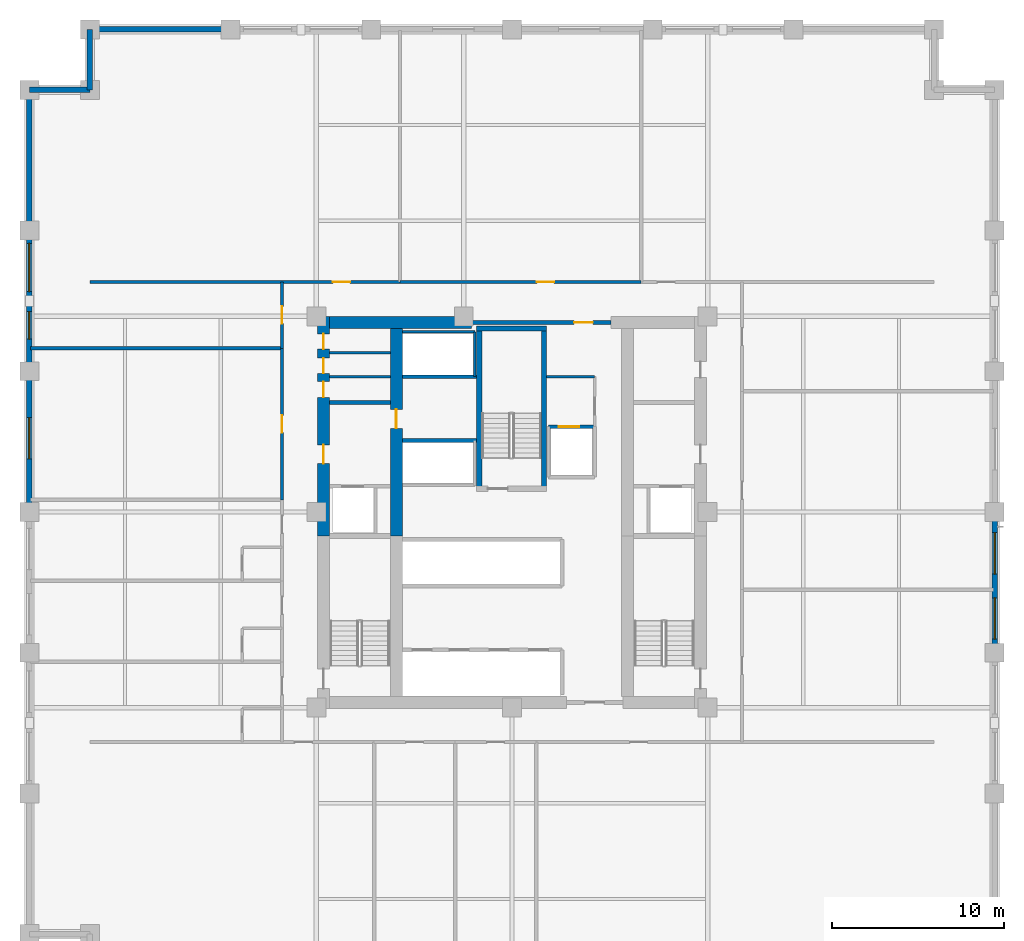
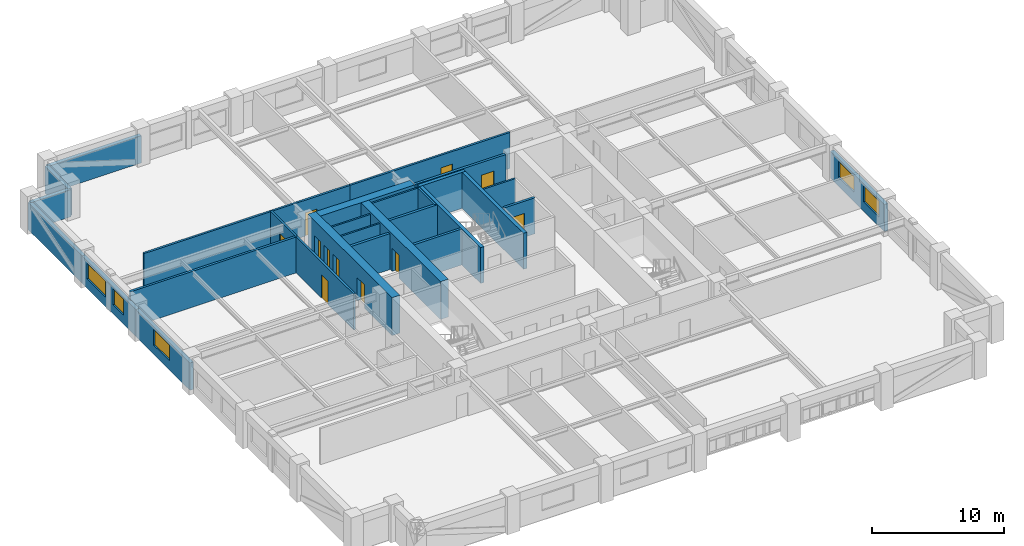
# One storey, part 9 of 13: 28 walls, 11 doors, 5 windows, 16 openings.
"""IFC4 building model written with IfcOpenShell, lengths in metres."""

from ifc_helpers import new_model, si_unit, direction, frame, frame_2d, origin, place, context, subcontext, project, spatial, rectangle, extrude, material, layer, layer_set, type_object, element, fill, save


model = new_model("IFC4")

# Units and contexts
model_context = context("Model", 3, precision=1e-05, world=origin(), true_north=direction((0.0, 1.0)))
body_context = subcontext(model_context, "Body", "Model", "MODEL_VIEW")
ifc_project = project(units=[si_unit("LENGTHUNIT", "METRE"), si_unit("AREAUNIT", "SQUARE_METRE"), si_unit("VOLUMEUNIT", "CUBIC_METRE"), si_unit("PLANEANGLEUNIT", "RADIAN"), si_unit("MASSUNIT", "GRAM", prefix="KILO")], contexts=[model_context])

# Site, building, storey
site_placement = place(None, origin())
site = spatial("IfcSite", under=ifc_project, at=site_placement, CompositionType="ELEMENT")
building_placement = place(site_placement, origin())
building = spatial("IfcBuilding", under=site, at=building_placement, Name="Nhamokura Convention Tower", CompositionType="ELEMENT")
storey_placement = place(building_placement, frame((0.0, 0.0, 63.35009765625)))
storey = spatial("IfcBuildingStorey", under=building, at=storey_placement, Name="L14", CompositionType="ELEMENT", Elevation=63.35009765625)

# Walls
ifc_material_1 = material(Name="Moisture-resistant tile-backer partition", Category="masonry")
ifc_layer_1 = layer(ifc_material_1, 0.139892578125)
ifc_layer_set_1 = layer_set([ifc_layer_1], Name="BathroomWetWall_140")
wall_type_1 = type_object("IfcWallType", Name="BathroomWetWall_140", PredefinedType="STANDARD", material=ifc_layer_set_1)
wall_1_placement = place(storey_placement, frame((21.409912109375, 39.85009765625, 0.0), z_axis=(0.0, 0.0, 1.0), x_axis=(1.0, 0.0, 0.0)))
element("IfcWall", 1, at=wall_1_placement, inside=storey, type_object=wall_type_1, Name="L14 Wall INT-L14-CWNW1", PredefinedType="STANDARD", context=body_context, shape_type="SweptSolid", body=[
    extrude(rectangle(XDim=3.530029296875, YDim=0.139892578125, at=frame_2d((1.76513671875, 0.0))), origin(), (0.0, 0.0, 1.0), 3.31982421875),
])
ifc_material_2 = material(Name="Bronze-pigmented precast concrete C45/55", Category="concrete")
ifc_layer_2 = layer(ifc_material_2, 0.320068359375)
ifc_layer_set_2 = layer_set([ifc_layer_2], Name="BronzePrecastSpandrel_320")
wall_type_2 = type_object("IfcWallType", Name="BronzePrecastSpandrel_320", PredefinedType="USERDEFINED", material=ifc_layer_set_2)
wall_2_placement = place(storey_placement, frame((7.5, 60.0, 0.0), z_axis=(0.0, 0.0, 1.0), x_axis=(1.0, 0.0, 0.0)))
element("IfcWall", 2, at=wall_2_placement, inside=storey, type_object=wall_type_2, Name="L14 Braced-Bay Precast Wall NORTH 0", ObjectType="SPANDREL_WALL", PredefinedType="USERDEFINED", context=body_context, shape_type="SweptSolid", body=[
    extrude(rectangle(XDim=8.166748046875, YDim=0.320068359375, at=frame_2d((4.08349609375, 0.0))), origin(), (0.0, 0.0, 1.0), 2.52001953125),
])

# Wall, opening, window
wall_3_placement = place(storey_placement, frame((4.0, 32.0, 0.0), z_axis=(0.0, 0.0, 1.0), x_axis=(0.0, 1.0, 0.0)))
wall_3 = element("IfcWall", 3, at=wall_3_placement, inside=storey, type_object=wall_type_2, Name="L14 Masonry-Frame Wall WEST 3", ObjectType="SPANDREL_WALL", PredefinedType="USERDEFINED", context=body_context, shape_type="SweptSolid", body=[
    extrude(rectangle(XDim=8.166748046875, YDim=0.320068359375, at=frame_2d((4.08349609375, 0.0))), origin(), (0.0, 0.0, 1.0), 2.52001953125),
])
opening_1_placement = place(wall_3_placement, frame((3.08349609375, 0.0, 0.85009765625)))
opening_1 = element("IfcOpeningElement", 4, at=opening_1_placement, cuts=wall_3, Name="Opening W-03", PredefinedType="OPENING", context=body_context, shape_type="SweptSolid", body=[
    extrude(rectangle(XDim=2.39990234375, YDim=1.469970703125, at=frame_2d((1.199951171875, 0.73486328125))), frame((0.0, 0.169921875, 0.0), z_axis=(0.0, -1.0, 0.0), x_axis=(1.0, 0.0, 0.0)), (0.0, 0.0, 1.0), 0.340087890625),
])
ifc_material_3 = material(Name="Solar-control bronze low-E double glass", Category="glass")
window_type_1 = type_object("IfcWindowType", Name="HotelBayWindow_2400", PartitioningType="DOUBLE_PANEL_VERTICAL", PredefinedType="WINDOW", material=ifc_material_3)
window_1_placement = place(opening_1_placement, origin())
window_1 = element("IfcWindow", 5, at=window_1_placement, inside=storey, type_object=window_type_1, Name="L14 Facade Window WEST 3", OverallHeight=1.469970703125, OverallWidth=2.39990234375, PartitioningType="SINGLE_PANEL", PredefinedType="WINDOW", context=body_context, shape_type="SweptSolid", body=[
    extrude(rectangle(XDim=2.39990234375, YDim=1.469970703125, at=frame_2d((1.199951171875, 0.73486328125))), frame((0.0, 0.030029296875, 0.0), z_axis=(0.0, -1.0, 0.0), x_axis=(1.0, 0.0, 0.0)), (0.0, 0.0, 1.0), 0.06005859375),
])
fill(opening_1, window_1)

# Wall, openings, windows
wall_4_placement = place(storey_placement, frame((4.0, 40.166748046875, 0.0), z_axis=(0.0, 0.0, 1.0), x_axis=(0.0, 1.0, 0.0)))
wall_4 = element("IfcWall", 6, at=wall_4_placement, inside=storey, type_object=wall_type_2, Name="L14 Masonry-Frame Wall WEST 4", ObjectType="SPANDREL_WALL", PredefinedType="USERDEFINED", context=body_context, shape_type="SweptSolid", body=[
    extrude(rectangle(XDim=8.16650390625, YDim=0.320068359375, at=frame_2d((4.083251953125, 0.0))), origin(), (0.0, 0.0, 1.0), 2.52001953125),
])
opening_2_placement = place(wall_4_placement, frame((1.8583984375, 0.0, 0.85009765625)))
opening_2 = element("IfcOpeningElement", 7, at=opening_2_placement, cuts=wall_4, Name="Opening W-11", PredefinedType="OPENING", context=body_context, shape_type="SweptSolid", body=[
    extrude(rectangle(XDim=1.60009765625, YDim=1.469970703125, at=frame_2d((0.800048828125, 0.73486328125))), frame((0.0, 0.169921875, 0.0), z_axis=(0.0, -1.0, 0.0), x_axis=(1.0, 0.0, 0.0)), (0.0, 0.0, 1.0), 0.340087890625),
])
opening_3_placement = place(wall_4_placement, frame((4.625, 0.0, 0.85009765625)))
opening_3 = element("IfcOpeningElement", 8, at=opening_3_placement, cuts=wall_4, Name="Opening W-04", PredefinedType="OPENING", context=body_context, shape_type="SweptSolid", body=[
    extrude(rectangle(XDim=2.800048828125, YDim=1.469970703125, at=frame_2d((1.39990234375, 0.73486328125))), frame((0.0, 0.169921875, 0.0), z_axis=(0.0, -1.0, 0.0), x_axis=(1.0, 0.0, 0.0)), (0.0, 0.0, 1.0), 0.340087890625),
])
ifc_material_4 = material(Name="Solar-control bronze low-E double glass", Category="glass")
window_type_2 = type_object("IfcWindowType", Name="HotelSuiteWindow_2800", PartitioningType="DOUBLE_PANEL_VERTICAL", PredefinedType="WINDOW", material=ifc_material_4)
window_2_placement = place(opening_3_placement, origin())
window_2 = element("IfcWindow", 9, at=window_2_placement, inside=storey, type_object=window_type_2, Name="L14 Facade Window WEST 4-3", OverallHeight=1.469970703125, OverallWidth=2.800048828125, PartitioningType="SINGLE_PANEL", PredefinedType="WINDOW", context=body_context, shape_type="SweptSolid", body=[
    extrude(rectangle(XDim=2.800048828125, YDim=1.469970703125, at=frame_2d((1.39990234375, 0.73486328125))), frame((0.0, 0.030029296875, 0.0), z_axis=(0.0, -1.0, 0.0), x_axis=(1.0, 0.0, 0.0)), (0.0, 0.0, 1.0), 0.06005859375),
])
fill(opening_3, window_2)
ifc_material_5 = material(Name="Solar-control bronze low-E double glass", Category="glass")
window_type_3 = type_object("IfcWindowType", Name="NotchCornerWindow_1600", PartitioningType="SINGLE_PANEL", PredefinedType="WINDOW", material=ifc_material_5)
window_3_placement = place(opening_2_placement, origin())
window_3 = element("IfcWindow", 10, at=window_3_placement, inside=storey, type_object=window_type_3, Name="L14 Facade Window WEST 4-2", OverallHeight=1.469970703125, OverallWidth=1.60009765625, PartitioningType="SINGLE_PANEL", PredefinedType="WINDOW", context=body_context, shape_type="SweptSolid", body=[
    extrude(rectangle(XDim=1.60009765625, YDim=1.469970703125, at=frame_2d((0.800048828125, 0.73486328125))), frame((0.0, 0.030029296875, 0.0), z_axis=(0.0, -1.0, 0.0), x_axis=(1.0, 0.0, 0.0)), (0.0, 0.0, 1.0), 0.06005859375),
])
fill(opening_2, window_3)

# Wall
wall_5_placement = place(storey_placement, frame((4.0, 48.333251953125, 0.0), z_axis=(0.0, 0.0, 1.0), x_axis=(0.0, 1.0, 0.0)))
element("IfcWall", 11, at=wall_5_placement, inside=storey, type_object=wall_type_2, Name="L14 Braced-Bay Precast Wall WEST 5", ObjectType="SPANDREL_WALL", PredefinedType="USERDEFINED", context=body_context, shape_type="SweptSolid", body=[
    extrude(rectangle(XDim=8.166748046875, YDim=0.320068359375, at=frame_2d((4.08349609375, 0.0))), origin(), (0.0, 0.0, 1.0), 2.52001953125),
])

# Wall, openings, windows
wall_6_placement = place(storey_placement, frame((60.0, 32.0, 0.0), z_axis=(0.0, 0.0, 1.0), x_axis=(0.0, -1.0, 0.0)))
wall_6 = element("IfcWall", 12, at=wall_6_placement, inside=storey, type_object=wall_type_2, Name="L14 Masonry-Frame Wall EAST 2", ObjectType="SPANDREL_WALL", PredefinedType="USERDEFINED", context=body_context, shape_type="SweptSolid", body=[
    extrude(rectangle(XDim=8.166748046875, YDim=0.320068359375, at=frame_2d((4.08349609375, 0.0))), origin(), (0.0, 0.0, 1.0), 2.52001953125),
])
opening_4_placement = place(wall_6_placement, frame((1.199951171875, 0.0, 0.85009765625)))
opening_4 = element("IfcOpeningElement", 13, at=opening_4_placement, cuts=wall_6, Name="Opening W-03", PredefinedType="OPENING", context=body_context, shape_type="SweptSolid", body=[
    extrude(rectangle(XDim=2.39990234375, YDim=1.469970703125, at=frame_2d((1.199951171875, 0.73486328125))), frame((0.0, 0.169921875, 0.0), z_axis=(0.0, -1.0, 0.0), x_axis=(1.0, 0.0, 0.0)), (0.0, 0.0, 1.0), 0.340087890625),
])
opening_5_placement = place(wall_6_placement, frame((4.9833984375, 0.0, 0.85009765625)))
opening_5 = element("IfcOpeningElement", 14, at=opening_5_placement, cuts=wall_6, Name="Opening W-03", PredefinedType="OPENING", context=body_context, shape_type="SweptSolid", body=[
    extrude(rectangle(XDim=2.39990234375, YDim=1.469970703125, at=frame_2d((1.199951171875, 0.73486328125))), frame((0.0, 0.169921875, 0.0), z_axis=(0.0, -1.0, 0.0), x_axis=(1.0, 0.0, 0.0)), (0.0, 0.0, 1.0), 0.340087890625),
])
window_4_placement = place(opening_4_placement, origin())
window_4 = element("IfcWindow", 15, at=window_4_placement, inside=storey, type_object=window_type_1, Name="L14 Facade Window EAST 2-1", OverallHeight=1.469970703125, OverallWidth=2.39990234375, PartitioningType="SINGLE_PANEL", PredefinedType="WINDOW", context=body_context, shape_type="SweptSolid", body=[
    extrude(rectangle(XDim=2.39990234375, YDim=1.469970703125, at=frame_2d((1.199951171875, 0.73486328125))), frame((0.0, 0.030029296875, 0.0), z_axis=(0.0, -1.0, 0.0), x_axis=(1.0, 0.0, 0.0)), (0.0, 0.0, 1.0), 0.06005859375),
])
fill(opening_4, window_4)
window_5_placement = place(opening_5_placement, origin())
window_5 = element("IfcWindow", 16, at=window_5_placement, inside=storey, type_object=window_type_1, Name="L14 Facade Window EAST 2-2", OverallHeight=1.469970703125, OverallWidth=2.39990234375, PartitioningType="SINGLE_PANEL", PredefinedType="WINDOW", context=body_context, shape_type="SweptSolid", body=[
    extrude(rectangle(XDim=2.39990234375, YDim=1.469970703125, at=frame_2d((1.199951171875, 0.73486328125))), frame((0.0, 0.030029296875, 0.0), z_axis=(0.0, -1.0, 0.0), x_axis=(1.0, 0.0, 0.0)), (0.0, 0.0, 1.0), 0.06005859375),
])
fill(opening_5, window_5)

# Walls
for number, where, z_axis, x_axis, name in (
    (17, (7.5, 56.5, 0.0), (0.0, 0.0, 1.0), (0.0, 1.0, 0.0), "L14 Notched Corner Wall NW1"),
    (18, (4.0, 56.5, 0.0), (0.0, 0.0, 1.0), (1.0, 0.0, 0.0), "L14 Notched Corner Wall NW2"),
):
    element("IfcWall", number, at=place(storey_placement, frame(where, z_axis=z_axis, x_axis=x_axis)), inside=storey, type_object=wall_type_2, Name=name, ObjectType="SPANDREL_WALL", PredefinedType="USERDEFINED", context=body_context, shape_type="SweptSolid", body=[
        extrude(rectangle(XDim=3.5, YDim=0.320068359375, at=frame_2d((1.75, 0.0))), origin(), (0.0, 0.0, 1.0), 2.52001953125),
    ])

# Wall, openings, doors
ifc_material_6 = material(Name="Concrete C70/85", Category="concrete")
ifc_layer_3 = layer(ifc_material_6, 0.699951171875)
ifc_layer_set_3 = layer_set([ifc_layer_3], Name="CoreShearWall_700")
wall_type_3 = type_object("IfcWallType", Name="CoreShearWall_700", PredefinedType="SHEAR", material=ifc_layer_set_3)
wall_7_placement = place(storey_placement, frame((21.06005859375, 30.60009765625, 0.0), z_axis=(0.0, 0.0, 1.0), x_axis=(0.0, 1.0, 0.0)))
wall_7 = element("IfcWall", 19, at=wall_7_placement, inside=storey, type_object=wall_type_3, Name="L14 Core Shear Wall CW-WN", PredefinedType="SHEAR", context=body_context, shape_type="SweptSolid", body=[
    extrude(rectangle(XDim=12.75, YDim=0.699951171875, at=frame_2d((6.375, 0.0))), origin(), (0.0, 0.0, 1.0), 3.5),
])
opening_6_placement = place(wall_7_placement, frame((4.199951171875, 0.0, 0.0)))
opening_6 = element("IfcOpeningElement", 20, at=opening_6_placement, cuts=wall_7, Name="Opening D-05", PredefinedType="OPENING", context=body_context, shape_type="SweptSolid", body=[
    extrude(rectangle(XDim=1.10009765625, YDim=2.14990234375, at=frame_2d((0.550048828125, 1.074951171875))), frame((0.0, 0.35986328125, 0.0), z_axis=(0.0, -1.0, 0.0), x_axis=(1.0, 0.0, 0.0)), (0.0, 0.0, 1.0), 0.719970703125),
])
opening_7_placement = place(wall_7_placement, frame((8.050048828125, 0.0, 0.0)))
opening_7 = element("IfcOpeningElement", 21, at=opening_7_placement, cuts=wall_7, Name="Opening D-10", PredefinedType="OPENING", context=body_context, shape_type="SweptSolid", body=[
    extrude(rectangle(XDim=0.919921875, YDim=2.10009765625, at=frame_2d((0.4599609375, 1.050048828125))), frame((0.0, 0.35986328125, 0.0), z_axis=(0.0, -1.0, 0.0), x_axis=(1.0, 0.0, 0.0)), (0.0, 0.0, 1.0), 0.719970703125),
])
opening_8_placement = place(wall_7_placement, frame((9.449951171875, 0.0, 0.0)))
opening_8 = element("IfcOpeningElement", 22, at=opening_8_placement, cuts=wall_7, Name="Opening D-11", PredefinedType="OPENING", context=body_context, shape_type="SweptSolid", body=[
    extrude(rectangle(XDim=0.8798828125, YDim=2.10009765625, at=frame_2d((0.43994140625, 1.050048828125))), frame((0.0, 0.35986328125, 0.0), z_axis=(0.0, -1.0, 0.0), x_axis=(1.0, 0.0, 0.0)), (0.0, 0.0, 1.0), 0.719970703125),
])
opening_9_placement = place(wall_7_placement, frame((10.85009765625, 0.0, 0.0)))
opening_9 = element("IfcOpeningElement", 23, at=opening_9_placement, cuts=wall_7, Name="Opening D-11", PredefinedType="OPENING", context=body_context, shape_type="SweptSolid", body=[
    extrude(rectangle(XDim=0.8798828125, YDim=2.10009765625, at=frame_2d((0.43994140625, 1.050048828125))), frame((0.0, 0.35986328125, 0.0), z_axis=(0.0, -1.0, 0.0), x_axis=(1.0, 0.0, 0.0)), (0.0, 0.0, 1.0), 0.719970703125),
])
ifc_material_7 = material(Name="Solid oak hardwood", Category="wood")
door_type_1 = type_object("IfcDoorType", Name="AccessibleWCDoor_920", OperationType="NOTDEFINED", PredefinedType="DOOR", material=ifc_material_7)
door_1_placement = place(opening_7_placement, origin())
door_1 = element("IfcDoor", 24, at=door_1_placement, inside=storey, type_object=door_type_1, Name="L14 Core Door INT-L14-D-AWC", OperationType="SINGLE_SWING_LEFT", OverallHeight=2.10009765625, OverallWidth=0.919921875, PredefinedType="DOOR", context=body_context, shape_type="SweptSolid", body=[
    extrude(rectangle(XDim=0.919921875, YDim=2.10009765625, at=frame_2d((0.4599609375, 1.050048828125))), frame((0.0, 0.02490234375, 0.0), z_axis=(0.0, -1.0, 0.0), x_axis=(1.0, 0.0, 0.0)), (0.0, 0.0, 1.0), 0.050048828125),
])
fill(opening_7, door_1)
ifc_material_8 = material(Name="Solid oak hardwood", Category="wood")
door_type_2 = type_object("IfcDoorType", Name="BathroomDoor_880", OperationType="NOTDEFINED", PredefinedType="DOOR", material=ifc_material_8)
door_2_placement = place(opening_8_placement, origin())
door_2 = element("IfcDoor", 25, at=door_2_placement, inside=storey, type_object=door_type_2, Name="L14 Core Door INT-L14-D-CLN", OperationType="SINGLE_SWING_RIGHT", OverallHeight=2.10009765625, OverallWidth=0.8798828125, PredefinedType="DOOR", context=body_context, shape_type="SweptSolid", body=[
    extrude(rectangle(XDim=0.8798828125, YDim=2.10009765625, at=frame_2d((0.43994140625, 1.050048828125))), frame((0.0, 0.02490234375, 0.0), z_axis=(0.0, -1.0, 0.0), x_axis=(1.0, 0.0, 0.0)), (0.0, 0.0, 1.0), 0.050048828125),
])
fill(opening_8, door_2)
door_3_placement = place(opening_9_placement, origin())
door_3 = element("IfcDoor", 26, at=door_3_placement, inside=storey, type_object=door_type_2, Name="L14 Core Door INT-L14-D-PNT", OperationType="SINGLE_SWING_LEFT", OverallHeight=2.10009765625, OverallWidth=0.8798828125, PredefinedType="DOOR", context=body_context, shape_type="SweptSolid", body=[
    extrude(rectangle(XDim=0.8798828125, YDim=2.10009765625, at=frame_2d((0.43994140625, 1.050048828125))), frame((0.0, 0.02490234375, 0.0), z_axis=(0.0, -1.0, 0.0), x_axis=(1.0, 0.0, 0.0)), (0.0, 0.0, 1.0), 0.050048828125),
])
fill(opening_9, door_3)
ifc_material_9 = material(Name="Fire-rated steel door", Category="steel")
door_type_3 = type_object("IfcDoorType", Name="FireLobbyDoor_1100", OperationType="NOTDEFINED", PredefinedType="DOOR", material=ifc_material_9)
door_4_placement = place(opening_6_placement, origin())
door_4 = element("IfcDoor", 27, at=door_4_placement, inside=storey, type_object=door_type_3, Name="L14 Core Door INT-L14-D-FFLW", OperationType="SINGLE_SWING_RIGHT", OverallHeight=2.14990234375, OverallWidth=1.10009765625, PredefinedType="DOOR", context=body_context, shape_type="SweptSolid", body=[
    extrude(rectangle(XDim=1.10009765625, YDim=2.14990234375, at=frame_2d((0.550048828125, 1.074951171875))), frame((0.0, 0.02490234375, 0.0), z_axis=(0.0, -1.0, 0.0), x_axis=(1.0, 0.0, 0.0)), (0.0, 0.0, 1.0), 0.050048828125),
])
fill(opening_6, door_4)

# Wall
wall_8_placement = place(storey_placement, frame((21.409912109375, 43.0, 0.0), z_axis=(0.0, 0.0, 1.0), x_axis=(1.0, 0.0, 0.0)))
element("IfcWall", 28, at=wall_8_placement, inside=storey, type_object=wall_type_3, Name="L14 Core Shear Wall CW-N1", PredefinedType="SHEAR", context=body_context, shape_type="SweptSolid", body=[
    extrude(rectangle(XDim=8.239990234375, YDim=0.699951171875, at=frame_2d((4.1201171875, 0.0))), origin(), (0.0, 0.0, 1.0), 3.5),
])

# Wall, opening, door
wall_9_placement = place(storey_placement, frame((25.2900390625, 30.60009765625, 0.0), z_axis=(0.0, 0.0, 1.0), x_axis=(0.0, 1.0, 0.0)))
wall_9 = element("IfcWall", 29, at=wall_9_placement, inside=storey, type_object=wall_type_3, Name="L14 Core Shear Wall CW-IWN", PredefinedType="SHEAR", context=body_context, shape_type="SweptSolid", body=[
    extrude(rectangle(XDim=12.0498046875, YDim=0.699951171875, at=frame_2d((6.02490234375, 0.0))), origin(), (0.0, 0.0, 1.0), 3.5),
])
opening_10_placement = place(wall_9_placement, frame((6.25, 0.0, 0.0)))
opening_10 = element("IfcOpeningElement", 30, at=opening_10_placement, cuts=wall_9, Name="Opening D-05", PredefinedType="OPENING", context=body_context, shape_type="SweptSolid", body=[
    extrude(rectangle(XDim=1.10009765625, YDim=2.14990234375, at=frame_2d((0.550048828125, 1.074951171875))), frame((0.0, 0.35986328125, 0.0), z_axis=(0.0, -1.0, 0.0), x_axis=(1.0, 0.0, 0.0)), (0.0, 0.0, 1.0), 0.719970703125),
])
door_5_placement = place(opening_10_placement, origin())
door_5 = element("IfcDoor", 31, at=door_5_placement, inside=storey, type_object=door_type_3, Name="L14 Core Door INT-L14-D-B3LOB", OperationType="SINGLE_SWING_LEFT", OverallHeight=2.14990234375, OverallWidth=1.10009765625, PredefinedType="DOOR", context=body_context, shape_type="SweptSolid", body=[
    extrude(rectangle(XDim=1.10009765625, YDim=2.14990234375, at=frame_2d((0.550048828125, 1.074951171875))), frame((0.0, 0.02490234375, 0.0), z_axis=(0.0, -1.0, 0.0), x_axis=(1.0, 0.0, 0.0)), (0.0, 0.0, 1.0), 0.050048828125),
])
fill(opening_10, door_5)

ifc_material_10 = material(Name="Fire-rated gypsum and masonry partition", Category="masonry")
ifc_layer_4 = layer(ifc_material_10, 0.179931640625)
ifc_layer_set_4 = layer_set([ifc_layer_4], Name="CorridorRatedWall_180")
wall_type_4 = type_object("IfcWallType", Name="CorridorRatedWall_180", PredefinedType="STANDARD", material=ifc_layer_set_4)
wall_10_placement = place(storey_placement, frame((7.5, 45.35009765625, 0.0), z_axis=(0.0, 0.0, 1.0), x_axis=(1.0, 0.0, 0.0)))
wall_10 = element("IfcWall", 32, at=wall_10_placement, inside=storey, type_object=wall_type_4, Name="L14 Wall INT-L14-CW-N00", PredefinedType="STANDARD", context=body_context, shape_type="SweptSolid", body=[
    extrude(rectangle(XDim=18.0, YDim=0.179931640625, at=frame_2d((9.0, 0.0))), origin(), (0.0, 0.0, 1.0), 3.31982421875),
])
opening_11_placement = place(wall_10_placement, frame((14.10009765625, 0.0, 0.0)))
opening_11 = element("IfcOpeningElement", 33, at=opening_11_placement, cuts=wall_10, Name="Opening D-07", PredefinedType="OPENING", context=body_context, shape_type="SweptSolid", body=[
    extrude(rectangle(XDim=1.0, YDim=2.14990234375, at=frame_2d((0.5, 1.074951171875))), frame((0.0, 0.099853515625, 0.0), z_axis=(0.0, -1.0, 0.0), x_axis=(1.0, 0.0, 0.0)), (0.0, 0.0, 1.0), 0.199951171875),
])
ifc_material_11 = material(Name="Solid oak hardwood", Category="wood")
door_type_4 = type_object("IfcDoorType", Name="HotelSuiteEntryDoor_1000", OperationType="NOTDEFINED", PredefinedType="DOOR", material=ifc_material_11)
door_6_placement = place(opening_11_placement, origin())
door_6 = element("IfcDoor", 34, at=door_6_placement, inside=storey, type_object=door_type_4, Name="L14 Conference Salon N01 Door", OperationType="SINGLE_SWING_LEFT", OverallHeight=2.14990234375, OverallWidth=1.0, PredefinedType="DOOR", context=body_context, shape_type="SweptSolid", body=[
    extrude(rectangle(XDim=1.0, YDim=2.14990234375, at=frame_2d((0.5, 1.074951171875))), frame((0.0, 0.02490234375, 0.0), z_axis=(0.0, -1.0, 0.0), x_axis=(1.0, 0.0, 0.0)), (0.0, 0.0, 1.0), 0.050048828125),
])
fill(opening_11, door_6)

wall_11_placement = place(storey_placement, frame((25.5, 45.35009765625, 0.0), z_axis=(0.0, 0.0, 1.0), x_axis=(1.0, 0.0, 0.0)))
wall_11 = element("IfcWall", 35, at=wall_11_placement, inside=storey, type_object=wall_type_4, Name="L14 Wall INT-L14-CW-N01", PredefinedType="STANDARD", context=body_context, shape_type="SweptSolid", body=[
    extrude(rectangle(XDim=14.0, YDim=0.179931640625, at=frame_2d((7.0, 0.0))), origin(), (0.0, 0.0, 1.0), 3.31982421875),
])
opening_12_placement = place(wall_11_placement, frame((7.949951171875, 0.0, 0.0)))
opening_12 = element("IfcOpeningElement", 36, at=opening_12_placement, cuts=wall_11, Name="Opening D-07", PredefinedType="OPENING", context=body_context, shape_type="SweptSolid", body=[
    extrude(rectangle(XDim=1.0, YDim=2.14990234375, at=frame_2d((0.5, 1.074951171875))), frame((0.0, 0.099853515625, 0.0), z_axis=(0.0, -1.0, 0.0), x_axis=(1.0, 0.0, 0.0)), (0.0, 0.0, 1.0), 0.199951171875),
])
door_7_placement = place(opening_12_placement, origin())
door_7 = element("IfcDoor", 37, at=door_7_placement, inside=storey, type_object=door_type_4, Name="L14 Hotel Lounge N02 Door", OperationType="SINGLE_SWING_RIGHT", OverallHeight=2.14990234375, OverallWidth=1.0, PredefinedType="DOOR", context=body_context, shape_type="SweptSolid", body=[
    extrude(rectangle(XDim=1.0, YDim=2.14990234375, at=frame_2d((0.5, 1.074951171875))), frame((0.0, 0.02490234375, 0.0), z_axis=(0.0, -1.0, 0.0), x_axis=(1.0, 0.0, 0.0)), (0.0, 0.0, 1.0), 0.050048828125),
])
fill(opening_12, door_7)

wall_12_placement = place(storey_placement, frame((18.64990234375, 32.699951171875, 0.0), z_axis=(0.0, 0.0, 1.0), x_axis=(0.0, 1.0, 0.0)))
wall_12 = element("IfcWall", 38, at=wall_12_placement, inside=storey, type_object=wall_type_4, Name="L14 Wall INT-L14-CW-W03", PredefinedType="STANDARD", context=body_context, shape_type="SweptSolid", body=[
    extrude(rectangle(XDim=8.800048828125, YDim=0.179931640625, at=frame_2d((4.39990234375, 0.0))), origin(), (0.0, 0.0, 1.0), 3.31982421875),
])
opening_13_placement = place(wall_12_placement, frame((3.89990234375, 0.0, 0.0)))
opening_13 = element("IfcOpeningElement", 39, at=opening_13_placement, cuts=wall_12, Name="Opening D-07", PredefinedType="OPENING", context=body_context, shape_type="SweptSolid", body=[
    extrude(rectangle(XDim=1.0, YDim=2.14990234375, at=frame_2d((0.5, 1.074951171875))), frame((0.0, 0.099853515625, 0.0), z_axis=(0.0, -1.0, 0.0), x_axis=(1.0, 0.0, 0.0)), (0.0, 0.0, 1.0), 0.199951171875),
])
door_8_placement = place(opening_13_placement, origin())
door_8 = element("IfcDoor", 40, at=door_8_placement, inside=storey, type_object=door_type_4, Name="L14 Conference Salon W04 Door", OperationType="SINGLE_SWING_RIGHT", OverallHeight=2.14990234375, OverallWidth=1.0, PredefinedType="DOOR", context=body_context, shape_type="SweptSolid", body=[
    extrude(rectangle(XDim=1.0, YDim=2.14990234375, at=frame_2d((0.5, 1.074951171875))), frame((0.0, 0.02490234375, 0.0), z_axis=(0.0, -1.0, 0.0), x_axis=(1.0, 0.0, 0.0)), (0.0, 0.0, 1.0), 0.050048828125),
])
fill(opening_13, door_8)

wall_13_placement = place(storey_placement, frame((18.64990234375, 41.5, 0.0), z_axis=(0.0, 0.0, 1.0), x_axis=(0.0, 1.0, 0.0)))
wall_13 = element("IfcWall", 41, at=wall_13_placement, inside=storey, type_object=wall_type_4, Name="L14 Wall INT-L14-CW-W04", PredefinedType="STANDARD", context=body_context, shape_type="SweptSolid", body=[
    extrude(rectangle(XDim=3.85009765625, YDim=0.179931640625, at=frame_2d((1.925048828125, 0.0))), origin(), (0.0, 0.0, 1.0), 3.31982421875),
])
opening_14_placement = place(wall_13_placement, frame((1.425048828125, 0.0, 0.0)))
opening_14 = element("IfcOpeningElement", 42, at=opening_14_placement, cuts=wall_13, Name="Opening D-07", PredefinedType="OPENING", context=body_context, shape_type="SweptSolid", body=[
    extrude(rectangle(XDim=1.0, YDim=2.14990234375, at=frame_2d((0.5, 1.074951171875))), frame((0.0, 0.099853515625, 0.0), z_axis=(0.0, -1.0, 0.0), x_axis=(1.0, 0.0, 0.0)), (0.0, 0.0, 1.0), 0.199951171875),
])
door_9_placement = place(opening_14_placement, origin())
door_9 = element("IfcDoor", 43, at=door_9_placement, inside=storey, type_object=door_type_4, Name="L14 Service Linen Room W05 Door", OperationType="SINGLE_SWING_LEFT", OverallHeight=2.14990234375, OverallWidth=1.0, PredefinedType="DOOR", context=body_context, shape_type="SweptSolid", body=[
    extrude(rectangle(XDim=1.0, YDim=2.14990234375, at=frame_2d((0.5, 1.074951171875))), frame((0.0, 0.02490234375, 0.0), z_axis=(0.0, -1.0, 0.0), x_axis=(1.0, 0.0, 0.0)), (0.0, 0.0, 1.0), 0.050048828125),
])
fill(opening_14, door_9)

# Walls
ifc_material_12 = material(Name="Autoclaved concrete blockwork", Category="masonry")
ifc_layer_5 = layer(ifc_material_12, 0.219970703125)
ifc_layer_set_5 = layer_set([ifc_layer_5], Name="FireLobbyWall_220")
wall_type_5 = type_object("IfcWallType", Name="FireLobbyWall_220", PredefinedType="STANDARD", material=ifc_layer_set_5)
wall_14_placement = place(storey_placement, frame((21.409912109375, 38.35009765625, 0.0), z_axis=(0.0, 0.0, 1.0), x_axis=(1.0, 0.0, 0.0)))
element("IfcWall", 44, at=wall_14_placement, inside=storey, type_object=wall_type_5, Name="L14 Wall INT-L14-FFW-N", PredefinedType="STANDARD", context=body_context, shape_type="SweptSolid", body=[
    extrude(rectangle(XDim=3.530029296875, YDim=0.219970703125, at=frame_2d((1.76513671875, 0.0))), origin(), (0.0, 0.0, 1.0), 3.31982421875),
])
for number, where, z_axis, x_axis, name in (
    (45, (25.64990234375, 36.14990234375, 0.0), (0.0, 0.0, 1.0), (1.0, 0.0, 0.0), "L14 Wall INT-L14-B3S"),
    (46, (25.64990234375, 39.85009765625, 0.0), (0.0, 0.0, 1.0), (1.0, 0.0, 0.0), "L14 Wall INT-L14-B3N"),
):
    element("IfcWall", number, at=place(storey_placement, frame(where, z_axis=z_axis, x_axis=x_axis)), inside=storey, type_object=wall_type_5, Name=name, PredefinedType="STANDARD", context=body_context, shape_type="SweptSolid", body=[
        extrude(rectangle(XDim=4.300048828125, YDim=0.219970703125, at=frame_2d((2.14990234375, 0.0))), origin(), (0.0, 0.0, 1.0), 3.31982421875),
    ])

# Wall, opening, door
wall_15_placement = place(storey_placement, frame((29.64990234375, 43.0, 0.0), z_axis=(0.0, 0.0, 1.0), x_axis=(1.0, 0.0, 0.0)))
wall_15 = element("IfcWall", 47, at=wall_15_placement, inside=storey, type_object=wall_type_5, Name="L14 Wall INT-L14-CPORT-N", PredefinedType="STANDARD", context=body_context, shape_type="SweptSolid", body=[
    extrude(rectangle(XDim=8.10009765625, YDim=0.219970703125, at=frame_2d((4.050048828125, 0.0))), origin(), (0.0, 0.0, 1.0), 3.31982421875),
])
opening_15_placement = place(wall_15_placement, frame((5.949951171875, 0.0, 0.0)))
opening_15 = element("IfcOpeningElement", 48, at=opening_15_placement, cuts=wall_15, Name="Opening D-05", PredefinedType="OPENING", context=body_context, shape_type="SweptSolid", body=[
    extrude(rectangle(XDim=1.10009765625, YDim=2.14990234375, at=frame_2d((0.550048828125, 1.074951171875))), frame((0.0, 0.119873046875, 0.0), z_axis=(0.0, -1.0, 0.0), x_axis=(1.0, 0.0, 0.0)), (0.0, 0.0, 1.0), 0.239990234375),
])
door_10_placement = place(opening_15_placement, origin())
door_10 = element("IfcDoor", 49, at=door_10_placement, inside=storey, type_object=door_type_3, Name="L14 North Core Lobby Portal Door", OperationType="SINGLE_SWING_RIGHT", OverallHeight=2.14990234375, OverallWidth=1.10009765625, PredefinedType="DOOR", context=body_context, shape_type="SweptSolid", body=[
    extrude(rectangle(XDim=1.10009765625, YDim=2.14990234375, at=frame_2d((0.550048828125, 1.074951171875))), frame((0.0, 0.02490234375, 0.0), z_axis=(0.0, -1.0, 0.0), x_axis=(1.0, 0.0, 0.0)), (0.0, 0.0, 1.0), 0.050048828125),
])
fill(opening_15, door_10)

wall_16_placement = place(storey_placement, frame((34.1201171875, 36.949951171875, 0.0), z_axis=(0.0, 0.0, 1.0), x_axis=(1.0, 0.0, 0.0)))
wall_16 = element("IfcWall", 50, at=wall_16_placement, inside=storey, type_object=wall_type_5, Name="L14 Wall INT-L14-LSN", PredefinedType="STANDARD", context=body_context, shape_type="SweptSolid", body=[
    extrude(rectangle(XDim=2.679931640625, YDim=0.219970703125, at=frame_2d((1.33984375, 0.0))), origin(), (0.0, 0.0, 1.0), 3.31982421875),
])
opening_16_placement = place(wall_16_placement, frame((0.580078125, 0.0, 0.0)))
opening_16 = element("IfcOpeningElement", 51, at=opening_16_placement, cuts=wall_16, Name="Opening LD-02", PredefinedType="OPENING", context=body_context, shape_type="SweptSolid", body=[
    extrude(rectangle(XDim=1.199951171875, YDim=2.199951171875, at=frame_2d((0.60009765625, 1.10009765625))), frame((0.0, 0.119873046875, 0.0), z_axis=(0.0, -1.0, 0.0), x_axis=(1.0, 0.0, 0.0)), (0.0, 0.0, 1.0), 0.239990234375),
])
ifc_material_13 = material(Name="Anodised bronze stainless steel", Category="steel")
door_type_5 = type_object("IfcDoorType", Name="LiftLandingDoor_FireService", OperationType="DOUBLE_DOOR_SLIDING", PredefinedType="DOOR", material=ifc_material_13)
door_11_placement = place(opening_16_placement, origin())
door_11 = element("IfcDoor", 52, at=door_11_placement, inside=storey, type_object=door_type_5, Name="L14 Service Lift LS-01 Door", OperationType="DOUBLE_DOOR_SLIDING", OverallHeight=2.199951171875, OverallWidth=1.199951171875, PredefinedType="DOOR", context=body_context, shape_type="SweptSolid", body=[
    extrude(rectangle(XDim=1.199951171875, YDim=2.199951171875, at=frame_2d((0.60009765625, 1.10009765625))), frame((0.0, 0.02490234375, 0.0), z_axis=(0.0, -1.0, 0.0), x_axis=(1.0, 0.0, 0.0)), (0.0, 0.0, 1.0), 0.050048828125),
])
fill(opening_16, door_11)

# Walls
ifc_material_14 = material(Name="Acoustic twin-stud gypsum partition", Category="masonry")
ifc_layer_6 = layer(ifc_material_14, 0.199951171875)
ifc_layer_set_6 = layer_set([ifc_layer_6], Name="HotelDemisingWall_200")
wall_type_6 = type_object("IfcWallType", Name="HotelDemisingWall_200", PredefinedType="STANDARD", material=ifc_layer_set_6)
wall_17_placement = place(storey_placement, frame((4.06005859375, 41.5, 0.0), z_axis=(0.0, 0.0, 1.0), x_axis=(1.0, 0.0, 0.0)))
element("IfcWall", 53, at=wall_17_placement, inside=storey, type_object=wall_type_6, Name="L14 Wall INT-L14-RW-W04", PredefinedType="STANDARD", context=body_context, shape_type="SweptSolid", body=[
    extrude(rectangle(XDim=14.58984375, YDim=0.199951171875, at=frame_2d((7.294921875, 0.0))), origin(), (0.0, 0.0, 1.0), 3.31982421875),
])
ifc_material_15 = material(Name="Acoustic gypsum stud partition", Category="masonry")
ifc_layer_7 = layer(ifc_material_15, 0.14990234375)
ifc_layer_set_7 = layer_set([ifc_layer_7], Name="InteriorPartition_150")
wall_type_7 = type_object("IfcWallType", Name="InteriorPartition_150", PredefinedType="STANDARD", material=ifc_layer_set_7)
wall_18_placement = place(storey_placement, frame((21.409912109375, 41.25, 0.0), z_axis=(0.0, 0.0, 1.0), x_axis=(1.0, 0.0, 0.0)))
element("IfcWall", 54, at=wall_18_placement, inside=storey, type_object=wall_type_7, Name="L14 Wall INT-L14-CWNW2", PredefinedType="STANDARD", context=body_context, shape_type="SweptSolid", body=[
    extrude(rectangle(XDim=3.530029296875, YDim=0.14990234375, at=frame_2d((1.76513671875, 0.0))), origin(), (0.0, 0.0, 1.0), 3.31982421875),
])
wall_19_placement = place(storey_placement, frame((34.0, 39.85009765625, 0.0), z_axis=(0.0, 0.0, 1.0), x_axis=(1.0, 0.0, 0.0)))
element("IfcWall", 55, at=wall_19_placement, inside=storey, type_object=wall_type_7, Name="L14 Wall INT-L14-NE-TELN", PredefinedType="STANDARD", context=body_context, shape_type="SweptSolid", body=[
    extrude(rectangle(XDim=2.800048828125, YDim=0.14990234375, at=frame_2d((1.39990234375, 0.0))), origin(), (0.0, 0.0, 1.0), 3.31982421875),
])
wall_20_placement = place(storey_placement, frame((25.64990234375, 42.449951171875, 0.0), z_axis=(0.0, 0.0, 1.0), x_axis=(1.0, 0.0, 0.0)))
element("IfcWall", 56, at=wall_20_placement, inside=storey, type_object=wall_type_7, Name="L14 Wall INT-L14-B3B-N", PredefinedType="STANDARD", context=body_context, shape_type="SweptSolid", body=[
    extrude(rectangle(XDim=4.2001953125, YDim=0.14990234375, at=frame_2d((2.10009765625, 0.0))), origin(), (0.0, 0.0, 1.0), 3.31982421875),
])
wall_21_placement = place(storey_placement, frame((29.85009765625, 39.85009765625, 0.0), z_axis=(0.0, 0.0, 1.0), x_axis=(0.0, 1.0, 0.0)))
element("IfcWall", 57, at=wall_21_placement, inside=storey, type_object=wall_type_7, Name="L14 Wall INT-L14-B3B-E", PredefinedType="STANDARD", context=body_context, shape_type="SweptSolid", body=[
    extrude(rectangle(XDim=2.599853515625, YDim=0.14990234375, at=frame_2d((1.2998046875, 0.0))), origin(), (0.0, 0.0, 1.0), 3.31982421875),
])
ifc_material_16 = material(Name="Concrete C50/60", Category="concrete")
ifc_layer_8 = layer(ifc_material_16, 0.300048828125)
ifc_layer_set_8 = layer_set([ifc_layer_8], Name="ShaftEnclosureWall_300")
wall_type_8 = type_object("IfcWallType", Name="ShaftEnclosureWall_300", PredefinedType="SHEAR", material=ifc_layer_set_8)
for number, where, z_axis, x_axis, name in (
    (58, (30.10009765625, 33.199951171875, 0.0), (0.0, 0.0, 1.0), (0.0, 1.0, 0.0), "L14 Wall INT-L14-ST03W"),
    (59, (33.85009765625, 33.199951171875, 0.0), (0.0, 0.0, 1.0), (0.0, 1.0, 0.0), "L14 Wall INT-L14-ST03E"),
):
    element("IfcWall", number, at=place(storey_placement, frame(where, z_axis=z_axis, x_axis=x_axis)), inside=storey, type_object=wall_type_8, Name=name, PredefinedType="SHEAR", context=body_context, shape_type="SweptSolid", body=[
        extrude(rectangle(XDim=9.60009765625, YDim=0.300048828125, at=frame_2d((4.800048828125, 0.0))), origin(), (0.0, 0.0, 1.0), 3.31982421875),
    ])
wall_22_placement = place(storey_placement, frame((29.949951171875, 42.64990234375, 0.0), z_axis=(0.0, 0.0, 1.0), x_axis=(1.0, 0.0, 0.0)))
element("IfcWall", 60, at=wall_22_placement, inside=storey, type_object=wall_type_8, Name="L14 Wall INT-L14-ST03N", PredefinedType="SHEAR", context=body_context, shape_type="SweptSolid", body=[
    extrude(rectangle(XDim=4.050048828125, YDim=0.300048828125, at=frame_2d((2.02490234375, 0.0))), origin(), (0.0, 0.0, 1.0), 3.31982421875),
])

save(model, "model.ifc")
